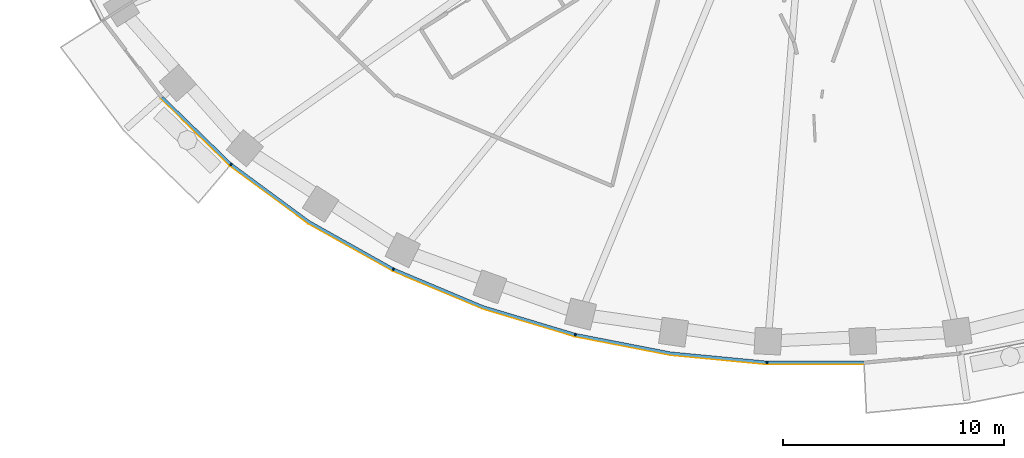
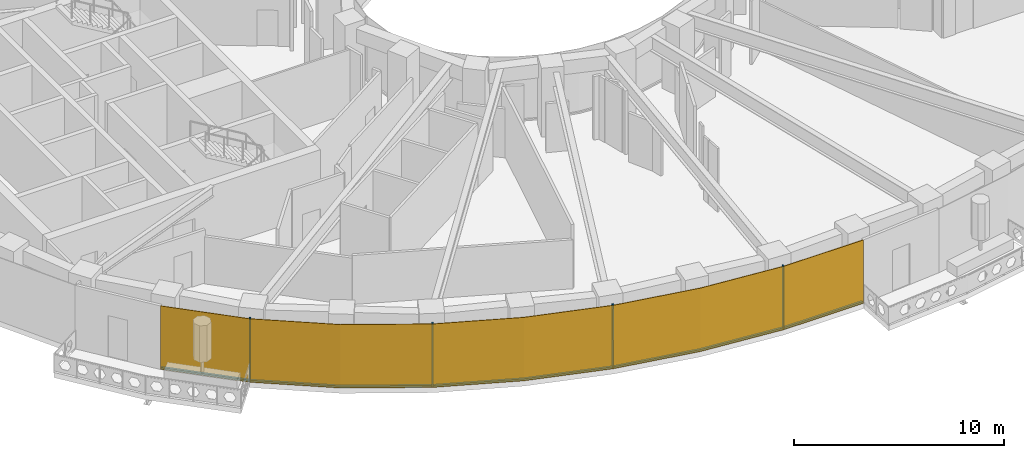
# One storey, part 8 of 16: 9 members, 1 curtain wall.
"""IFC4 building model written with IfcOpenShell, lengths in metres."""

from ifc_helpers import new_model, si_unit, direction, frame, origin, origin_2d, place, context, subcontext, project, spatial, polyline, rectangle, outline, extrude, material, layer, layer_set, material_profile, profile_set, type_object, element, aggregate, save


model = new_model("IFC4")

# Units and contexts
model_context = context("Model", 3, precision=1e-05, world=origin(), true_north=direction((0.0, 1.0)))
body_context = subcontext(model_context, "Body", "Model", "MODEL_VIEW")
ifc_project = project(units=[si_unit("LENGTHUNIT", "METRE"), si_unit("AREAUNIT", "SQUARE_METRE"), si_unit("VOLUMEUNIT", "CUBIC_METRE"), si_unit("PLANEANGLEUNIT", "RADIAN"), si_unit("MASSUNIT", "GRAM", prefix="KILO")], contexts=[model_context])

# Member
ifc_material_1 = material(Name="Aluminium 6063-T6 black anodised", Category="aluminium")
ifc_material_profile = material_profile(ifc_material_1, rectangle(XDim=0.1201171875, YDim=0.06005859375, at=origin_2d()), Name="120x60")
ifc_profile_set = profile_set([ifc_material_profile], Name="Aluminium 6063-T6 black anodised")
member_type_1 = type_object("IfcMemberType", Name="ENV-MULLION-A-120", PredefinedType="MULLION", material=ifc_profile_set)
site_placement = place(None, origin())
building_placement = place(site_placement, origin())
storey_placement = place(building_placement, frame((0.0, 0.0, 150.0)))
member_1_placement = place(storey_placement, frame((-26.403564453125, -18.9130859375, 0.0), z_axis=(0.0, 0.0, 1.0), x_axis=(0.646451313783, 0.762955240435, 0.0)))
member_1 = element("IfcMember", 1, at=member_1_placement, type_object=member_type_1, Name="Mullion A radial 29", PredefinedType="MULLION", context=body_context, shape_type="SweptSolid", body=[
    extrude(rectangle(XDim=0.1201171875, YDim=0.06005859375, at=origin_2d()), origin(), (0.0, 0.0, 1.0), 3.699951171875),
])

member_2_placement = place(storey_placement, frame((-19.06787109375, -23.6474609375, 0.0), z_axis=(0.0, 0.0, 1.0), x_axis=(0.439237769837, 0.898370848563, 0.0)))
member_2 = element("IfcMember", 2, at=member_2_placement, type_object=member_type_1, Name="Mullion A radial 31", PredefinedType="MULLION", context=body_context, shape_type="SweptSolid", body=[
    extrude(rectangle(XDim=0.1201171875, YDim=0.06005859375, at=origin_2d()), origin(), (0.0, 0.0, 1.0), 3.699951171875),
])

member_3_placement = place(storey_placement, frame((-10.84326171875, -26.60498046875, 0.0), z_axis=(0.0, 0.0, 1.0), x_axis=(0.239799081534, 0.970822538106, 0.0)))
member_3 = element("IfcMember", 3, at=member_3_placement, type_object=member_type_1, Name="Mullion A radial 33", PredefinedType="MULLION", context=body_context, shape_type="SweptSolid", body=[
    extrude(rectangle(XDim=0.1201171875, YDim=0.06005859375, at=origin_2d()), origin(), (0.0, 0.0, 1.0), 3.699951171875),
])

member_4_placement = place(storey_placement, frame((-2.188720703125, -27.856201171875, 0.0), z_axis=(0.0, 0.0, 1.0), x_axis=(0.047557873581, 0.998868484166, 0.0)))
member_4 = element("IfcMember", 4, at=member_4_placement, type_object=member_type_1, Name="Mullion A radial 35", PredefinedType="MULLION", context=body_context, shape_type="SweptSolid", body=[
    extrude(rectangle(XDim=0.1201171875, YDim=0.06005859375, at=origin_2d()), origin(), (0.0, 0.0, 1.0), 3.699951171875),
])

ifc_material_2 = material(Name="Aluminium 6063-T6 black anodised", Category="aluminium")
member_type_2 = type_object("IfcMemberType", Name="ENV-TRANSOM-A", PredefinedType="USERDEFINED", material=ifc_material_2)
member_5_placement = place(storey_placement, origin())
member_5 = element("IfcMember", 5, at=member_5_placement, type_object=member_type_2, Name="Transom A radial 28-29", ObjectType="TRANSOM", PredefinedType="USERDEFINED", context=body_context, shape_type="SweptSolid", body=[
    extrude(outline(polyline([(-29.569091796875, -15.9208984375), (-26.46240234375, -18.939208984375), (-26.384765625, -18.847412109375), (-29.47900390625, -15.841064453125), (-29.569091796875, -15.9208984375)])), origin(), (0.0, 0.0, 1.0), 0.10009765625),
])

member_6_placement = place(storey_placement, origin())
member_6 = element("IfcMember", 6, at=member_6_placement, type_object=member_type_2, Name="Transom A radial 29-31", ObjectType="TRANSOM", PredefinedType="USERDEFINED", context=body_context, shape_type="SweptSolid", body=[
    extrude(outline(polyline([(-26.419921875, -18.975341796875), (-22.9150390625, -21.556884765625), (-19.11865234375, -23.687744140625), (-19.06591796875, -23.57958984375), (-22.85009765625, -21.455810546875), (-26.342041015625, -18.883544921875), (-26.419921875, -18.975341796875)])), origin(), (0.0, 0.0, 1.0), 0.10009765625),
])

member_7_placement = place(storey_placement, origin())
member_7 = element("IfcMember", 7, at=member_7_placement, type_object=member_type_2, Name="Transom A radial 31-33", ObjectType="TRANSOM", PredefinedType="USERDEFINED", context=body_context, shape_type="SweptSolid", body=[
    extrude(outline(polyline([(-19.068359375, -23.71240234375), (-15.054443359375, -25.400146484375), (-10.884521484375, -26.655029296875), (-10.855712890625, -26.53857421875), (-15.013916015625, -25.287109375), (-19.015380859375, -23.604248046875), (-19.068359375, -23.71240234375)])), origin(), (0.0, 0.0, 1.0), 0.10009765625),
])

member_8_placement = place(storey_placement, origin())
member_8 = element("IfcMember", 8, at=member_8_placement, type_object=member_type_2, Name="Transom A radial 33-35", ObjectType="TRANSOM", PredefinedType="USERDEFINED", context=body_context, shape_type="SweptSolid", body=[
    extrude(outline(polyline([(-10.830078125, -26.66845703125), (-6.55517578125, -27.49951171875), (-2.219482421875, -27.913330078125), (-2.2138671875, -27.793212890625), (-6.537841796875, -27.380615234375), (-10.80126953125, -26.552001953125), (-10.830078125, -26.66845703125)])), origin(), (0.0, 0.0, 1.0), 0.10009765625),
])

member_9_placement = place(storey_placement, origin())
member_9 = element("IfcMember", 9, at=member_9_placement, type_object=member_type_2, Name="Transom A radial 35-36", ObjectType="TRANSOM", PredefinedType="USERDEFINED", context=body_context, shape_type="SweptSolid", body=[
    extrude(outline(polyline([(-2.163818359375, -27.916015625), (2.171630859375, -27.916015625), (2.166015625, -27.7958984375), (-2.157958984375, -27.7958984375), (-2.163818359375, -27.916015625)])), origin(), (0.0, 0.0, 1.0), 0.10009765625),
])

# Site, building, storey
site = spatial("IfcSite", under=ifc_project, at=site_placement, CompositionType="ELEMENT")
building = spatial("IfcBuilding", under=site, at=building_placement, Name="Noorbagh Ring Tower", CompositionType="ELEMENT")
storey = spatial("IfcBuildingStorey", under=building, at=storey_placement, Name="L34", CompositionType="ELEMENT", Elevation=150.0)

# Curtain wall
ifc_material_3 = material(Name="Glass dark tinted laminated", Category="glass")
ifc_layer = layer(ifc_material_3, 0.031982421875)
ifc_layer_set = layer_set([ifc_layer], Name="Glass dark tinted laminated")
curtain_wall_type = type_object("IfcCurtainWallType", Name="ENV-CW-A", PredefinedType="NOTDEFINED", material=ifc_layer_set)
curtain_wall_placement = place(storey_placement, origin())
curtain_wall = element("IfcCurtainWall", 10, at=curtain_wall_placement, inside=storey, type_object=curtain_wall_type, Name="Curtain wall A R28", PredefinedType="NOTDEFINED", context=body_context, shape_type="SweptSolid", body=[
    extrude(outline(polyline([(-29.59326171875, -15.942138671875), (-26.463134765625, -18.9833984375), (-22.9326171875, -21.583740234375), (-19.108154296875, -23.730224609375), (-15.065185546875, -25.430419921875), (-10.865234375, -26.6943359375), (-6.559814453125, -27.53125), (-2.193115234375, -27.947998046875), (2.173095703125, -27.947998046875), (2.171630859375, -27.916015625), (-2.191650390625, -27.916015625), (-6.55517578125, -27.49951171875), (-10.857666015625, -26.6630859375), (-15.054443359375, -25.400146484375), (-19.093994140625, -23.701416015625), (-22.9150390625, -21.556884765625), (-26.4423828125, -18.958740234375), (-29.569091796875, -15.9208984375), (-29.59326171875, -15.942138671875)])), origin(), (0.0, 0.0, 1.0), 3.699951171875),
])

aggregate(curtain_wall, [member_1, member_2, member_3, member_4, member_5, member_6, member_7, member_8, member_9])

save(model, "model.ifc")
